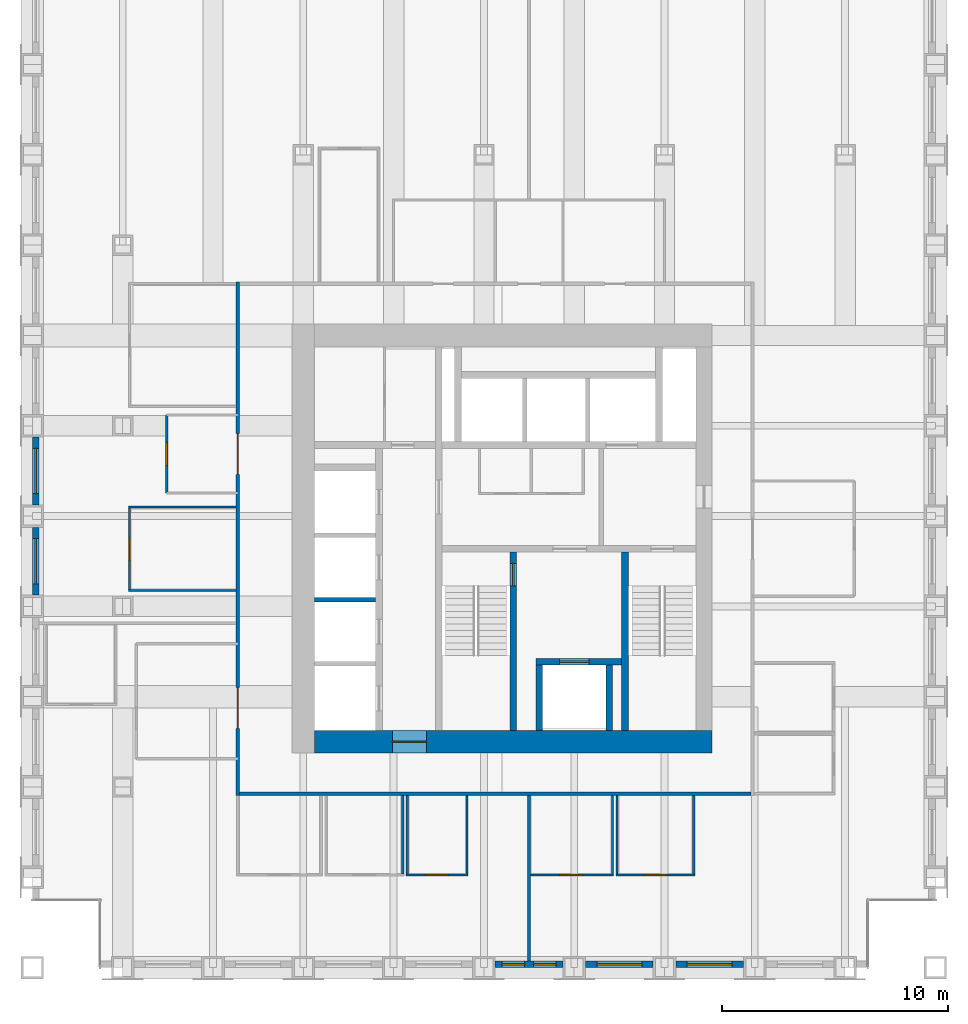
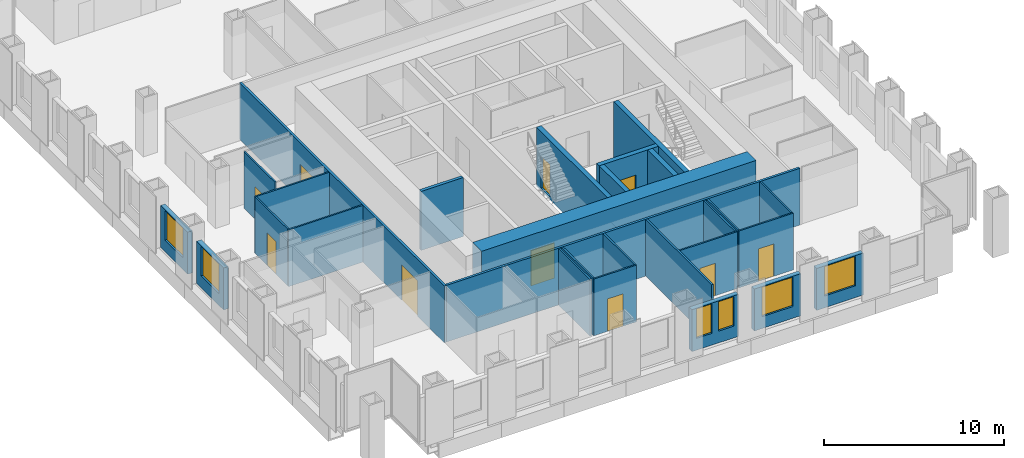
# One storey, part 9 of 14: 28 walls, 10 doors, 6 windows, 16 openings.
"""IFC4 building model written with IfcOpenShell, lengths in metres."""

from ifc_helpers import new_model, si_unit, direction, frame, frame_2d, origin, place, context, subcontext, project, spatial, rectangle, extrude, material, layer, layer_set, type_object, element, fill, save


model = new_model("IFC4")

# Units and contexts
model_context = context("Model", 3, precision=1e-05, world=origin(), true_north=direction((0.0, 1.0)))
body_context = subcontext(model_context, "Body", "Model", "MODEL_VIEW")
ifc_project = project(units=[si_unit("LENGTHUNIT", "METRE"), si_unit("AREAUNIT", "SQUARE_METRE"), si_unit("VOLUMEUNIT", "CUBIC_METRE"), si_unit("PLANEANGLEUNIT", "RADIAN"), si_unit("MASSUNIT", "GRAM", prefix="KILO")], contexts=[model_context])

# Site, building, storey
site_placement = place(None, origin())
site = spatial("IfcSite", under=ifc_project, at=site_placement, CompositionType="ELEMENT")
building_placement = place(site_placement, origin())
building = spatial("IfcBuilding", under=site, at=building_placement, Name="Rimbunsela Tower", CompositionType="ELEMENT")
storey_placement = place(building_placement, frame((0.0, 0.0, 179.800048828125)))
storey = spatial("IfcBuildingStorey", under=building, at=storey_placement, Name="L43", CompositionType="ELEMENT", Elevation=179.800048828125)

# Wall, opening, door
ifc_material_1 = material(Name="Concrete fc' 80 MPa", Category="concrete")
ifc_layer_1 = layer(ifc_material_1, 0.300048828125)
ifc_layer_set_1 = layer_set([ifc_layer_1], Name="Core internal wall 300")
wall_type_1 = type_object("IfcWallType", Name="Core internal wall 300", PredefinedType="SHEAR", material=ifc_layer_set_1)
wall_1_placement = place(storey_placement, frame((27.300048828125, 18.5, -0.150146484375), z_axis=(0.0, 0.0, 1.0), x_axis=(0.0, 1.0, 0.0)))
wall_1 = element("IfcWall", 1, at=wall_1_placement, inside=storey, type_object=wall_type_1, Name="Stair A enclosure", PredefinedType="SHEAR", context=body_context, shape_type="SweptSolid", body=[
    extrude(rectangle(XDim=7.89990234375, YDim=0.300048828125, at=frame_2d((3.949951171875, 0.0))), origin(), (0.0, 0.0, 1.0), 4.0),
])
opening_1_placement = place(wall_1_placement, frame((6.39990234375, 0.0, 0.14990234375)))
opening_1 = element("IfcOpeningElement", 2, at=opening_1_placement, cuts=wall_1, Name="Opening D01", PredefinedType="OPENING", context=body_context, shape_type="SweptSolid", body=[
    extrude(rectangle(XDim=1.0, YDim=2.199951171875, at=frame_2d((0.5, 1.10009765625))), frame((0.0, 0.159912109375, 0.0), z_axis=(0.0, -1.0, 0.0), x_axis=(1.0, 0.0, 0.0)), (0.0, 0.0, 1.0), 0.320068359375),
])
ifc_material_2 = material(Name="Steel door, fire rated", Category="steel")
door_type_1 = type_object("IfcDoorType", Name="Stair door 1000", OperationType="SINGLE_SWING_RIGHT", PredefinedType="DOOR", material=ifc_material_2)
door_1_placement = place(opening_1_placement, origin())
door_1 = element("IfcDoor", 3, at=door_1_placement, inside=storey, type_object=door_type_1, Name="Stair A door", OperationType="SINGLE_SWING_RIGHT", OverallHeight=2.199951171875, OverallWidth=1.0, PredefinedType="DOOR", context=body_context, shape_type="SweptSolid", body=[
    extrude(rectangle(XDim=1.0, YDim=2.199951171875, at=frame_2d((0.5, 1.10009765625))), frame((0.0, 0.02490234375, 0.0), z_axis=(0.0, -1.0, 0.0), x_axis=(1.0, 0.0, 0.0)), (0.0, 0.0, 1.0), 0.050048828125),
])
fill(opening_1, door_1)

# Walls
wall_2_placement = place(storey_placement, frame((32.25, 18.5, -0.150146484375), z_axis=(0.0, 0.0, 1.0), x_axis=(0.0, 1.0, 0.0)))
element("IfcWall", 4, at=wall_2_placement, inside=storey, type_object=wall_type_1, Name="Stair B enclosure", PredefinedType="SHEAR", context=body_context, shape_type="SweptSolid", body=[
    extrude(rectangle(XDim=7.89990234375, YDim=0.300048828125, at=frame_2d((3.949951171875, 0.0))), origin(), (0.0, 0.0, 1.0), 4.0),
])
for number, where, z_axis, x_axis, name in (
    (5, (28.449951171875, 18.5, -0.150146484375), (0.0, 0.0, 1.0), (0.0, 1.0, 0.0), "Firefighting lift shaft west"),
    (6, (31.550048828125, 18.5, -0.150146484375), (0.0, 0.0, 1.0), (0.0, 1.0, 0.0), "Firefighting lift shaft east"),
):
    element("IfcWall", number, at=place(storey_placement, frame(where, z_axis=z_axis, x_axis=x_axis)), inside=storey, type_object=wall_type_1, Name=name, PredefinedType="SHEAR", context=body_context, shape_type="SweptSolid", body=[
        extrude(rectangle(XDim=2.89990234375, YDim=0.300048828125, at=frame_2d((1.449951171875, 0.0))), origin(), (0.0, 0.0, 1.0), 4.0),
    ])

# Wall, opening, door
wall_3_placement = place(storey_placement, frame((28.300048828125, 21.550048828125, -0.150146484375), z_axis=(0.0, 0.0, 1.0), x_axis=(1.0, 0.0, 0.0)))
wall_3 = element("IfcWall", 7, at=wall_3_placement, inside=storey, type_object=wall_type_1, Name="Firefighting lift shaft front", PredefinedType="SHEAR", context=body_context, shape_type="SweptSolid", body=[
    extrude(rectangle(XDim=3.800048828125, YDim=0.300048828125, at=frame_2d((1.89990234375, 0.0))), origin(), (0.0, 0.0, 1.0), 4.0),
])
opening_2_placement = place(wall_3_placement, frame((1.050048828125, 0.0, 0.14990234375)))
opening_2 = element("IfcOpeningElement", 8, at=opening_2_placement, cuts=wall_3, Name="Opening LD2", PredefinedType="OPENING", context=body_context, shape_type="SweptSolid", body=[
    extrude(rectangle(XDim=1.300048828125, YDim=2.39990234375, at=frame_2d((0.64990234375, 1.199951171875))), frame((0.0, 0.159912109375, 0.0), z_axis=(0.0, -1.0, 0.0), x_axis=(1.0, 0.0, 0.0)), (0.0, 0.0, 1.0), 0.320068359375),
])
ifc_material_3 = material(Name="Steel door, fire rated", Category="steel")
door_type_2 = type_object("IfcDoorType", Name="Lift landing door 1300", OperationType="DOUBLE_DOOR_SLIDING", PredefinedType="DOOR", material=ifc_material_3)
door_2_placement = place(opening_2_placement, origin())
door_2 = element("IfcDoor", 9, at=door_2_placement, inside=storey, type_object=door_type_2, Name="Lift landing door FL1", OperationType="DOUBLE_DOOR_SLIDING", OverallHeight=2.39990234375, OverallWidth=1.300048828125, PredefinedType="DOOR", context=body_context, shape_type="SweptSolid", body=[
    extrude(rectangle(XDim=1.300048828125, YDim=2.39990234375, at=frame_2d((0.64990234375, 1.199951171875))), frame((0.0, 0.02490234375, 0.0), z_axis=(0.0, -1.0, 0.0), x_axis=(1.0, 0.0, 0.0)), (0.0, 0.0, 1.0), 0.050048828125),
])
fill(opening_2, door_2)

ifc_material_4 = material(Name="Concrete fc' 80 MPa", Category="concrete")
ifc_layer_2 = layer(ifc_material_4, 1.0)
ifc_layer_set_2 = layer_set([ifc_layer_2], Name="Core wall 1000")
wall_type_2 = type_object("IfcWallType", Name="Core wall 1000", PredefinedType="SHEAR", material=ifc_layer_set_2)
wall_4_placement = place(storey_placement, frame((18.5, 18.0, -0.150146484375), z_axis=(0.0, 0.0, 1.0), x_axis=(1.0, 0.0, 0.0)))
wall_4 = element("IfcWall", 10, at=wall_4_placement, inside=storey, type_object=wall_type_2, Name="Core wall south", PredefinedType="SHEAR", context=body_context, shape_type="SweptSolid", body=[
    extrude(rectangle(XDim=17.60009765625, YDim=1.0, at=frame_2d((8.800048828125, 0.0))), origin(), (0.0, 0.0, 1.0), 4.0),
])
opening_3_placement = place(wall_4_placement, frame((3.449951171875, 0.0, 0.14990234375)))
opening_3 = element("IfcOpeningElement", 11, at=opening_3_placement, cuts=wall_4, Name="Opening D03", PredefinedType="OPENING", context=body_context, shape_type="SweptSolid", body=[
    extrude(rectangle(XDim=1.5, YDim=2.39990234375, at=frame_2d((0.75, 1.199951171875))), frame((0.0, 0.510009765625, 0.0), z_axis=(0.0, -1.0, 0.0), x_axis=(1.0, 0.0, 0.0)), (0.0, 0.0, 1.0), 1.02001953125),
])
ifc_material_5 = material(Name="Steel door, fire rated", Category="steel")
door_type_3 = type_object("IfcDoorType", Name="Core lobby door 1500", OperationType="DOUBLE_DOOR_DOUBLE_SWING", PredefinedType="DOOR", material=ifc_material_5)
door_3_placement = place(opening_3_placement, origin())
door_3 = element("IfcDoor", 12, at=door_3_placement, inside=storey, type_object=door_type_3, Name="Core door south", OperationType="DOUBLE_DOOR_DOUBLE_SWING", OverallHeight=2.39990234375, OverallWidth=1.5, PredefinedType="DOOR", context=body_context, shape_type="SweptSolid", body=[
    extrude(rectangle(XDim=1.5, YDim=2.39990234375, at=frame_2d((0.75, 1.199951171875))), frame((0.0, 0.02490234375, 0.0), z_axis=(0.0, -1.0, 0.0), x_axis=(1.0, 0.0, 0.0)), (0.0, 0.0, 1.0), 0.050048828125),
])
fill(opening_3, door_3)

# Wall
ifc_material_6 = material(Name="Concrete blockwork", Category="masonry")
ifc_layer_3 = layer(ifc_material_6, 0.199951171875)
ifc_layer_set_3 = layer_set([ifc_layer_3], Name="Lift shaft wall 200")
wall_type_3 = type_object("IfcWallType", Name="Lift shaft wall 200", PredefinedType="SOLIDWALL", material=ifc_layer_set_3)
wall_5_placement = place(storey_placement, frame((18.5, 24.300048828125, -0.150146484375), z_axis=(0.0, 0.0, 1.0), x_axis=(1.0, 0.0, 0.0)))
element("IfcWall", 13, at=wall_5_placement, inside=storey, type_object=wall_type_3, Name="Lift shaft separation", PredefinedType="SOLIDWALL", context=body_context, shape_type="SweptSolid", body=[
    extrude(rectangle(XDim=2.699951171875, YDim=0.199951171875, at=frame_2d((1.35009765625, 0.0))), origin(), (0.0, 0.0, 1.0), 4.0),
])

# Wall, opening, door
ifc_material_7 = material(Name="Gypsum board on steel studs", Category="steel")
ifc_layer_4 = layer(ifc_material_7, 0.10009765625)
ifc_layer_set_4 = layer_set([ifc_layer_4], Name="Office partition 100")
wall_type_4 = type_object("IfcWallType", Name="Office partition 100", PredefinedType="PARTITIONING", material=ifc_layer_set_4)
wall_6_placement = place(storey_placement, frame((22.550048828125, 12.10009765625, 0.0), z_axis=(0.0, 0.0, 1.0), x_axis=(1.0, 0.0, 0.0)))
wall_6 = element("IfcWall", 14, at=wall_6_placement, inside=storey, type_object=wall_type_4, Name="Office partition", PredefinedType="PARTITIONING", context=body_context, shape_type="SweptSolid", body=[
    extrude(rectangle(XDim=2.75, YDim=0.10009765625, at=frame_2d((1.375, 0.0))), origin(), (0.0, 0.0, 1.0), 3.849853515625),
])
opening_4_placement = place(wall_6_placement, frame((0.875, 0.0, 0.0)))
opening_4 = element("IfcOpeningElement", 15, at=opening_4_placement, cuts=wall_6, Name="Opening D16", PredefinedType="OPENING", context=body_context, shape_type="SweptSolid", body=[
    extrude(rectangle(XDim=1.0, YDim=2.199951171875, at=frame_2d((0.5, 1.10009765625))), frame((0.0, 0.06005859375, 0.0), z_axis=(0.0, -1.0, 0.0), x_axis=(1.0, 0.0, 0.0)), (0.0, 0.0, 1.0), 0.1201171875),
])
ifc_material_8 = material(Name="Timber door", Category="wood")
door_type_4 = type_object("IfcDoorType", Name="Office door 1000", OperationType="SINGLE_SWING_LEFT", PredefinedType="DOOR", material=ifc_material_8)
door_4_placement = place(opening_4_placement, origin())
door_4 = element("IfcDoor", 16, at=door_4_placement, inside=storey, type_object=door_type_4, Name="Office door", OperationType="SINGLE_SWING_LEFT", OverallHeight=2.199951171875, OverallWidth=1.0, PredefinedType="DOOR", context=body_context, shape_type="SweptSolid", body=[
    extrude(rectangle(XDim=1.0, YDim=2.199951171875, at=frame_2d((0.5, 1.10009765625))), frame((0.0, 0.02490234375, 0.0), z_axis=(0.0, -1.0, 0.0), x_axis=(1.0, 0.0, 0.0)), (0.0, 0.0, 1.0), 0.050048828125),
])
fill(opening_4, door_4)

wall_7_placement = place(storey_placement, frame((28.06005859375, 12.10009765625, 0.0), z_axis=(0.0, 0.0, 1.0), x_axis=(1.0, 0.0, 0.0)))
wall_7 = element("IfcWall", 17, at=wall_7_placement, inside=storey, type_object=wall_type_4, Name="Office partition", PredefinedType="PARTITIONING", context=body_context, shape_type="SweptSolid", body=[
    extrude(rectangle(XDim=3.68994140625, YDim=0.10009765625, at=frame_2d((1.844970703125, 0.0))), origin(), (0.0, 0.0, 1.0), 3.849853515625),
])
opening_5_placement = place(wall_7_placement, frame((1.2900390625, 0.0, 0.0)))
opening_5 = element("IfcOpeningElement", 18, at=opening_5_placement, cuts=wall_7, Name="Opening D17", PredefinedType="OPENING", context=body_context, shape_type="SweptSolid", body=[
    extrude(rectangle(XDim=1.0, YDim=2.199951171875, at=frame_2d((0.5, 1.10009765625))), frame((0.0, 0.06005859375, 0.0), z_axis=(0.0, -1.0, 0.0), x_axis=(1.0, 0.0, 0.0)), (0.0, 0.0, 1.0), 0.1201171875),
])
ifc_material_9 = material(Name="Glazed aluminium door", Category="aluminium")
door_type_5 = type_object("IfcDoorType", Name="Meeting room door 1000 glazed", OperationType="SINGLE_SWING_RIGHT", PredefinedType="DOOR", material=ifc_material_9)
door_5_placement = place(opening_5_placement, origin())
door_5 = element("IfcDoor", 19, at=door_5_placement, inside=storey, type_object=door_type_5, Name="Meeting room door", OperationType="SINGLE_SWING_RIGHT", OverallHeight=2.199951171875, OverallWidth=1.0, PredefinedType="DOOR", context=body_context, shape_type="SweptSolid", body=[
    extrude(rectangle(XDim=1.0, YDim=2.199951171875, at=frame_2d((0.5, 1.10009765625))), frame((0.0, 0.02490234375, 0.0), z_axis=(0.0, -1.0, 0.0), x_axis=(1.0, 0.0, 0.0)), (0.0, 0.0, 1.0), 0.050048828125),
])
fill(opening_5, door_5)

wall_8_placement = place(storey_placement, frame((31.85009765625, 12.10009765625, 0.0), z_axis=(0.0, 0.0, 1.0), x_axis=(1.0, 0.0, 0.0)))
wall_8 = element("IfcWall", 20, at=wall_8_placement, inside=storey, type_object=wall_type_4, Name="Office partition", PredefinedType="PARTITIONING", context=body_context, shape_type="SweptSolid", body=[
    extrude(rectangle(XDim=3.5, YDim=0.10009765625, at=frame_2d((1.75, 0.0))), origin(), (0.0, 0.0, 1.0), 3.849853515625),
])
opening_6_placement = place(wall_8_placement, frame((1.25, 0.0, 0.0)))
opening_6 = element("IfcOpeningElement", 21, at=opening_6_placement, cuts=wall_8, Name="Opening D16", PredefinedType="OPENING", context=body_context, shape_type="SweptSolid", body=[
    extrude(rectangle(XDim=1.0, YDim=2.199951171875, at=frame_2d((0.5, 1.10009765625))), frame((0.0, 0.06005859375, 0.0), z_axis=(0.0, -1.0, 0.0), x_axis=(1.0, 0.0, 0.0)), (0.0, 0.0, 1.0), 0.1201171875),
])
door_6_placement = place(opening_6_placement, origin())
door_6 = element("IfcDoor", 22, at=door_6_placement, inside=storey, type_object=door_type_4, Name="Office door", OperationType="SINGLE_SWING_LEFT", OverallHeight=2.199951171875, OverallWidth=1.0, PredefinedType="DOOR", context=body_context, shape_type="SweptSolid", body=[
    extrude(rectangle(XDim=1.0, YDim=2.199951171875, at=frame_2d((0.5, 1.10009765625))), frame((0.0, 0.02490234375, 0.0), z_axis=(0.0, -1.0, 0.0), x_axis=(1.0, 0.0, 0.0)), (0.0, 0.0, 1.0), 0.050048828125),
])
fill(opening_6, door_6)

# Walls
for number, where, z_axis, x_axis, name in (
    (23, (10.25, 24.699951171875, 0.0), (0.0, 0.0, 1.0), (1.0, 0.0, 0.0), "Office partition"),
    (24, (10.25, 28.39990234375, 0.0), (0.0, 0.0, 1.0), (1.0, 0.0, 0.0), "Office partition"),
):
    element("IfcWall", number, at=place(storey_placement, frame(where, z_axis=z_axis, x_axis=x_axis)), inside=storey, type_object=wall_type_4, Name=name, PredefinedType="PARTITIONING", context=body_context, shape_type="SweptSolid", body=[
        extrude(rectangle(XDim=4.77490234375, YDim=0.10009765625, at=frame_2d((2.387451171875, 0.0))), origin(), (0.0, 0.0, 1.0), 3.849853515625),
    ])

# Wall, opening, door
wall_9_placement = place(storey_placement, frame((10.300048828125, 24.75, 0.0), z_axis=(0.0, 0.0, 1.0), x_axis=(0.0, 1.0, 0.0)))
wall_9 = element("IfcWall", 25, at=wall_9_placement, inside=storey, type_object=wall_type_4, Name="Office partition", PredefinedType="PARTITIONING", context=body_context, shape_type="SweptSolid", body=[
    extrude(rectangle(XDim=3.60009765625, YDim=0.10009765625, at=frame_2d((1.800048828125, 0.0))), origin(), (0.0, 0.0, 1.0), 3.849853515625),
])
opening_7_placement = place(wall_9_placement, frame((1.300048828125, 0.0, 0.0)))
opening_7 = element("IfcOpeningElement", 26, at=opening_7_placement, cuts=wall_9, Name="Opening D17", PredefinedType="OPENING", context=body_context, shape_type="SweptSolid", body=[
    extrude(rectangle(XDim=1.0, YDim=2.199951171875, at=frame_2d((0.5, 1.10009765625))), frame((0.0, 0.06005859375, 0.0), z_axis=(0.0, -1.0, 0.0), x_axis=(1.0, 0.0, 0.0)), (0.0, 0.0, 1.0), 0.1201171875),
])
door_7_placement = place(opening_7_placement, origin())
door_7 = element("IfcDoor", 27, at=door_7_placement, inside=storey, type_object=door_type_5, Name="Meeting room door", OperationType="SINGLE_SWING_RIGHT", OverallHeight=2.199951171875, OverallWidth=1.0, PredefinedType="DOOR", context=body_context, shape_type="SweptSolid", body=[
    extrude(rectangle(XDim=1.0, YDim=2.199951171875, at=frame_2d((0.5, 1.10009765625))), frame((0.0, 0.02490234375, 0.0), z_axis=(0.0, -1.0, 0.0), x_axis=(1.0, 0.0, 0.0)), (0.0, 0.0, 1.0), 0.050048828125),
])
fill(opening_7, door_7)

# Walls
for number, where, z_axis, x_axis, name in (
    (28, (22.39990234375, 12.14990234375, 0.0), (0.0, 0.0, 1.0), (0.0, 1.0, 0.0), "Office partition"),
    (29, (22.60009765625, 12.14990234375, 0.0), (0.0, 0.0, 1.0), (0.0, 1.0, 0.0), "Office partition"),
    (30, (25.25, 12.14990234375, 0.0), (0.0, 0.0, 1.0), (0.0, 1.0, 0.0), "Office partition"),
    (31, (31.699951171875, 12.14990234375, 0.0), (0.0, 0.0, 1.0), (0.0, 1.0, 0.0), "Office partition"),
    (32, (31.89990234375, 12.14990234375, 0.0), (0.0, 0.0, 1.0), (0.0, 1.0, 0.0), "Office partition"),
    (33, (35.300048828125, 12.14990234375, 0.0), (0.0, 0.0, 1.0), (0.0, 1.0, 0.0), "Office partition"),
):
    element("IfcWall", number, at=place(storey_placement, frame(where, z_axis=z_axis, x_axis=x_axis)), inside=storey, type_object=wall_type_4, Name=name, PredefinedType="PARTITIONING", context=body_context, shape_type="SweptSolid", body=[
        extrude(rectangle(XDim=3.47509765625, YDim=0.10009765625, at=frame_2d((1.737548828125, 0.0))), origin(), (0.0, 0.0, 1.0), 3.849853515625),
    ])

# Wall, opening, door
wall_10_placement = place(storey_placement, frame((11.949951171875, 32.47509765625, 0.0), z_axis=(0.0, 0.0, 1.0), x_axis=(0.0, -1.0, 0.0)))
wall_10 = element("IfcWall", 34, at=wall_10_placement, inside=storey, type_object=wall_type_4, Name="Office partition", PredefinedType="PARTITIONING", context=body_context, shape_type="SweptSolid", body=[
    extrude(rectangle(XDim=3.4501953125, YDim=0.10009765625, at=frame_2d((1.72509765625, 0.0))), origin(), (0.0, 0.0, 1.0), 3.849853515625),
])
opening_8_placement = place(wall_10_placement, frame((1.22509765625, 0.0, 0.0)))
opening_8 = element("IfcOpeningElement", 35, at=opening_8_placement, cuts=wall_10, Name="Opening D17", PredefinedType="OPENING", context=body_context, shape_type="SweptSolid", body=[
    extrude(rectangle(XDim=1.0, YDim=2.199951171875, at=frame_2d((0.5, 1.10009765625))), frame((0.0, 0.06005859375, 0.0), z_axis=(0.0, -1.0, 0.0), x_axis=(1.0, 0.0, 0.0)), (0.0, 0.0, 1.0), 0.1201171875),
])
door_8_placement = place(opening_8_placement, origin())
door_8 = element("IfcDoor", 36, at=door_8_placement, inside=storey, type_object=door_type_5, Name="Reception door", OperationType="SINGLE_SWING_RIGHT", OverallHeight=2.199951171875, OverallWidth=1.0, PredefinedType="DOOR", context=body_context, shape_type="SweptSolid", body=[
    extrude(rectangle(XDim=1.0, YDim=2.199951171875, at=frame_2d((0.5, 1.10009765625))), frame((0.0, 0.02490234375, 0.0), z_axis=(0.0, -1.0, 0.0), x_axis=(1.0, 0.0, 0.0)), (0.0, 0.0, 1.0), 0.050048828125),
])
fill(opening_8, door_8)

# Wall, openings, windows
ifc_material_10 = material(Name="Precast concrete fc' 35 MPa", Category="concrete")
ifc_layer_5 = layer(ifc_material_10, 0.300048828125)
ifc_layer_set_5 = layer_set([ifc_layer_5], Name="Precast concrete fc' 35 MPa")
wall_type_5 = type_object("IfcWallType", Name="Precast facade panel 300", PredefinedType="ELEMENTEDWALL", material=ifc_layer_set_5)
wall_11_placement = place(storey_placement, frame((26.5, 8.14990234375, 0.0), z_axis=(0.0, 0.0, 1.0), x_axis=(1.0, 0.0, 0.0)))
wall_11 = element("IfcWall", 37, at=wall_11_placement, inside=storey, type_object=wall_type_5, Name="Facade panel S L43", PredefinedType="ELEMENTEDWALL", context=body_context, shape_type="SweptSolid", body=[
    extrude(rectangle(XDim=3.0, YDim=0.300048828125, at=frame_2d((1.5, 0.0))), origin(), (0.0, 0.0, 1.0), 2.849853515625),
])
opening_9_placement = place(wall_11_placement, frame((0.300048828125, 0.0, 0.800048828125)))
opening_9 = element("IfcOpeningElement", 38, at=opening_9_placement, cuts=wall_11, Name="Opening W5", PredefinedType="OPENING", context=body_context, shape_type="SweptSolid", body=[
    extrude(rectangle(XDim=1.0, YDim=2.0, at=frame_2d((0.5, 1.0))), frame((0.0, 0.159912109375, 0.0), z_axis=(0.0, -1.0, 0.0), x_axis=(1.0, 0.0, 0.0)), (0.0, 0.0, 1.0), 0.320068359375),
])
opening_10_placement = place(wall_11_placement, frame((1.699951171875, 0.0, 0.800048828125)))
opening_10 = element("IfcOpeningElement", 39, at=opening_10_placement, cuts=wall_11, Name="Opening W5", PredefinedType="OPENING", context=body_context, shape_type="SweptSolid", body=[
    extrude(rectangle(XDim=1.0, YDim=2.0, at=frame_2d((0.5, 1.0))), frame((0.0, 0.159912109375, 0.0), z_axis=(0.0, -1.0, 0.0), x_axis=(1.0, 0.0, 0.0)), (0.0, 0.0, 1.0), 0.320068359375),
])
ifc_material_11 = material(Name="Clear glass in aluminium frame", Category="aluminium")
window_type_1 = type_object("IfcWindowType", Name="Window W5 1000x2000", PartitioningType="SINGLE_PANEL", PredefinedType="WINDOW", material=ifc_material_11)
window_1_placement = place(opening_9_placement, origin())
window_1 = element("IfcWindow", 40, at=window_1_placement, inside=storey, type_object=window_type_1, Name="Window L43", OverallHeight=2.0, OverallWidth=1.0, PartitioningType="SINGLE_PANEL", PredefinedType="WINDOW", context=body_context, shape_type="SweptSolid", body=[
    extrude(rectangle(XDim=1.0, YDim=2.0, at=frame_2d((0.5, 1.0))), frame((0.0, 0.030029296875, 0.0), z_axis=(0.0, -1.0, 0.0), x_axis=(1.0, 0.0, 0.0)), (0.0, 0.0, 1.0), 0.06005859375),
])
fill(opening_9, window_1)
window_2_placement = place(opening_10_placement, origin())
window_2 = element("IfcWindow", 41, at=window_2_placement, inside=storey, type_object=window_type_1, Name="Window L43", OverallHeight=2.0, OverallWidth=1.0, PartitioningType="SINGLE_PANEL", PredefinedType="WINDOW", context=body_context, shape_type="SweptSolid", body=[
    extrude(rectangle(XDim=1.0, YDim=2.0, at=frame_2d((0.5, 1.0))), frame((0.0, 0.030029296875, 0.0), z_axis=(0.0, -1.0, 0.0), x_axis=(1.0, 0.0, 0.0)), (0.0, 0.0, 1.0), 0.06005859375),
])
fill(opening_10, window_2)

# Wall, opening, window
wall_12_placement = place(storey_placement, frame((30.5, 8.14990234375, 0.0), z_axis=(0.0, 0.0, 1.0), x_axis=(1.0, 0.0, 0.0)))
wall_12 = element("IfcWall", 42, at=wall_12_placement, inside=storey, type_object=wall_type_5, Name="Facade panel S L43", PredefinedType="ELEMENTEDWALL", context=body_context, shape_type="SweptSolid", body=[
    extrude(rectangle(XDim=3.0, YDim=0.300048828125, at=frame_2d((1.5, 0.0))), origin(), (0.0, 0.0, 1.0), 2.849853515625),
])
opening_11_placement = place(wall_12_placement, frame((0.5, 0.0, 0.800048828125)))
opening_11 = element("IfcOpeningElement", 43, at=opening_11_placement, cuts=wall_12, Name="Opening W1", PredefinedType="OPENING", context=body_context, shape_type="SweptSolid", body=[
    extrude(rectangle(XDim=2.0, YDim=2.0, at=frame_2d((1.0, 1.0))), frame((0.0, 0.159912109375, 0.0), z_axis=(0.0, -1.0, 0.0), x_axis=(1.0, 0.0, 0.0)), (0.0, 0.0, 1.0), 0.320068359375),
])
ifc_material_12 = material(Name="Clear glass in aluminium frame", Category="aluminium")
window_type_2 = type_object("IfcWindowType", Name="Window W1 2000x2000", PartitioningType="DOUBLE_PANEL_VERTICAL", PredefinedType="WINDOW", material=ifc_material_12)
window_3_placement = place(opening_11_placement, origin())
window_3 = element("IfcWindow", 44, at=window_3_placement, inside=storey, type_object=window_type_2, Name="Window L43", OverallHeight=2.0, OverallWidth=2.0, PartitioningType="SINGLE_PANEL", PredefinedType="WINDOW", context=body_context, shape_type="SweptSolid", body=[
    extrude(rectangle(XDim=2.0, YDim=2.0, at=frame_2d((1.0, 1.0))), frame((0.0, 0.030029296875, 0.0), z_axis=(0.0, -1.0, 0.0), x_axis=(1.0, 0.0, 0.0)), (0.0, 0.0, 1.0), 0.06005859375),
])
fill(opening_11, window_3)

wall_13_placement = place(storey_placement, frame((34.5, 8.14990234375, 0.0), z_axis=(0.0, 0.0, 1.0), x_axis=(1.0, 0.0, 0.0)))
wall_13 = element("IfcWall", 45, at=wall_13_placement, inside=storey, type_object=wall_type_5, Name="Facade panel S L43", PredefinedType="ELEMENTEDWALL", context=body_context, shape_type="SweptSolid", body=[
    extrude(rectangle(XDim=3.0, YDim=0.300048828125, at=frame_2d((1.5, 0.0))), origin(), (0.0, 0.0, 1.0), 2.849853515625),
])
opening_12_placement = place(wall_13_placement, frame((0.5, 0.0, 0.800048828125)))
opening_12 = element("IfcOpeningElement", 46, at=opening_12_placement, cuts=wall_13, Name="Opening W1", PredefinedType="OPENING", context=body_context, shape_type="SweptSolid", body=[
    extrude(rectangle(XDim=2.0, YDim=2.0, at=frame_2d((1.0, 1.0))), frame((0.0, 0.159912109375, 0.0), z_axis=(0.0, -1.0, 0.0), x_axis=(1.0, 0.0, 0.0)), (0.0, 0.0, 1.0), 0.320068359375),
])
window_4_placement = place(opening_12_placement, origin())
window_4 = element("IfcWindow", 47, at=window_4_placement, inside=storey, type_object=window_type_2, Name="Window L43", OverallHeight=2.0, OverallWidth=2.0, PartitioningType="SINGLE_PANEL", PredefinedType="WINDOW", context=body_context, shape_type="SweptSolid", body=[
    extrude(rectangle(XDim=2.0, YDim=2.0, at=frame_2d((1.0, 1.0))), frame((0.0, 0.030029296875, 0.0), z_axis=(0.0, -1.0, 0.0), x_axis=(1.0, 0.0, 0.0)), (0.0, 0.0, 1.0), 0.06005859375),
])
fill(opening_12, window_4)

wall_14_placement = place(storey_placement, frame((6.14990234375, 27.5, 0.0), z_axis=(0.0, 0.0, 1.0), x_axis=(0.0, -1.0, 0.0)))
wall_14 = element("IfcWall", 48, at=wall_14_placement, inside=storey, type_object=wall_type_5, Name="Facade panel W L43", PredefinedType="ELEMENTEDWALL", context=body_context, shape_type="SweptSolid", body=[
    extrude(rectangle(XDim=3.0, YDim=0.300048828125, at=frame_2d((1.5, 0.0))), origin(), (0.0, 0.0, 1.0), 2.849853515625),
])
opening_13_placement = place(wall_14_placement, frame((0.5, 0.0, 0.800048828125)))
opening_13 = element("IfcOpeningElement", 49, at=opening_13_placement, cuts=wall_14, Name="Opening W1", PredefinedType="OPENING", context=body_context, shape_type="SweptSolid", body=[
    extrude(rectangle(XDim=2.0, YDim=2.0, at=frame_2d((1.0, 1.0))), frame((0.0, 0.159912109375, 0.0), z_axis=(0.0, -1.0, 0.0), x_axis=(1.0, 0.0, 0.0)), (0.0, 0.0, 1.0), 0.320068359375),
])
window_5_placement = place(opening_13_placement, origin())
window_5 = element("IfcWindow", 50, at=window_5_placement, inside=storey, type_object=window_type_2, Name="Window L43", OverallHeight=2.0, OverallWidth=2.0, PartitioningType="SINGLE_PANEL", PredefinedType="WINDOW", context=body_context, shape_type="SweptSolid", body=[
    extrude(rectangle(XDim=2.0, YDim=2.0, at=frame_2d((1.0, 1.0))), frame((0.0, 0.030029296875, 0.0), z_axis=(0.0, -1.0, 0.0), x_axis=(1.0, 0.0, 0.0)), (0.0, 0.0, 1.0), 0.06005859375),
])
fill(opening_13, window_5)

wall_15_placement = place(storey_placement, frame((6.14990234375, 31.5, 0.0), z_axis=(0.0, 0.0, 1.0), x_axis=(0.0, -1.0, 0.0)))
wall_15 = element("IfcWall", 51, at=wall_15_placement, inside=storey, type_object=wall_type_5, Name="Facade panel W L43", PredefinedType="ELEMENTEDWALL", context=body_context, shape_type="SweptSolid", body=[
    extrude(rectangle(XDim=3.0, YDim=0.300048828125, at=frame_2d((1.5, 0.0))), origin(), (0.0, 0.0, 1.0), 2.849853515625),
])
opening_14_placement = place(wall_15_placement, frame((0.5, 0.0, 0.800048828125)))
opening_14 = element("IfcOpeningElement", 52, at=opening_14_placement, cuts=wall_15, Name="Opening W1", PredefinedType="OPENING", context=body_context, shape_type="SweptSolid", body=[
    extrude(rectangle(XDim=2.0, YDim=2.0, at=frame_2d((1.0, 1.0))), frame((0.0, 0.159912109375, 0.0), z_axis=(0.0, -1.0, 0.0), x_axis=(1.0, 0.0, 0.0)), (0.0, 0.0, 1.0), 0.320068359375),
])
window_6_placement = place(opening_14_placement, origin())
window_6 = element("IfcWindow", 53, at=window_6_placement, inside=storey, type_object=window_type_2, Name="Window L43", OverallHeight=2.0, OverallWidth=2.0, PartitioningType="SINGLE_PANEL", PredefinedType="WINDOW", context=body_context, shape_type="SweptSolid", body=[
    extrude(rectangle(XDim=2.0, YDim=2.0, at=frame_2d((1.0, 1.0))), frame((0.0, 0.030029296875, 0.0), z_axis=(0.0, -1.0, 0.0), x_axis=(1.0, 0.0, 0.0)), (0.0, 0.0, 1.0), 0.06005859375),
])
fill(opening_14, window_6)

# Wall, openings, doors
ifc_material_13 = material(Name="Fire-rated gypsum board on steel studs, EI 60", Category="steel")
ifc_layer_6 = layer(ifc_material_13, 0.14990234375)
ifc_layer_set_6 = layer_set([ifc_layer_6], Name="Rated corridor wall 150")
wall_type_6 = type_object("IfcWallType", Name="Rated corridor wall 150", PredefinedType="PARTITIONING", material=ifc_layer_set_6)
wall_16_placement = place(storey_placement, frame((15.10009765625, 15.625, 0.0), z_axis=(0.0, 0.0, 1.0), x_axis=(0.0, 1.0, 0.0)))
wall_16 = element("IfcWall", 54, at=wall_16_placement, inside=storey, type_object=wall_type_6, Name="Corridor wall west", PredefinedType="PARTITIONING", context=body_context, shape_type="SweptSolid", body=[
    extrude(rectangle(XDim=22.75, YDim=0.14990234375, at=frame_2d((11.375, 0.0))), origin(), (0.0, 0.0, 1.0), 3.849853515625),
])
opening_15_placement = place(wall_16_placement, frame((2.97412109375, 0.0, 0.0)))
opening_15 = element("IfcOpeningElement", 55, at=opening_15_placement, cuts=wall_16, Name="Opening D09", PredefinedType="OPENING", context=body_context, shape_type="SweptSolid", body=[
    extrude(rectangle(XDim=1.800048828125, YDim=2.39990234375, at=frame_2d((0.89990234375, 1.199951171875))), frame((0.0, 0.0849609375, 0.0), z_axis=(0.0, -1.0, 0.0), x_axis=(1.0, 0.0, 0.0)), (0.0, 0.0, 1.0), 0.169921875),
])
opening_16_placement = place(wall_16_placement, frame((14.22509765625, 0.0, 0.0)))
opening_16 = element("IfcOpeningElement", 56, at=opening_16_placement, cuts=wall_16, Name="Opening D09", PredefinedType="OPENING", context=body_context, shape_type="SweptSolid", body=[
    extrude(rectangle(XDim=1.800048828125, YDim=2.39990234375, at=frame_2d((0.89990234375, 1.199951171875))), frame((0.0, 0.0849609375, 0.0), z_axis=(0.0, -1.0, 0.0), x_axis=(1.0, 0.0, 0.0)), (0.0, 0.0, 1.0), 0.169921875),
])
ifc_material_14 = material(Name="Glazed aluminium door, fire rated", Category="aluminium")
door_type_6 = type_object("IfcDoorType", Name="Tenancy door 1800 glazed", OperationType="DOUBLE_DOOR_DOUBLE_SWING", PredefinedType="DOOR", material=ifc_material_14)
door_9_placement = place(opening_15_placement, origin())
door_9 = element("IfcDoor", 57, at=door_9_placement, inside=storey, type_object=door_type_6, Name="Tenancy door", OperationType="DOUBLE_DOOR_DOUBLE_SWING", OverallHeight=2.39990234375, OverallWidth=1.800048828125, PredefinedType="DOOR", context=body_context, shape_type="SweptSolid", body=[
    extrude(rectangle(XDim=1.800048828125, YDim=2.39990234375, at=frame_2d((0.89990234375, 1.199951171875))), frame((0.0, 0.02490234375, 0.0), z_axis=(0.0, -1.0, 0.0), x_axis=(1.0, 0.0, 0.0)), (0.0, 0.0, 1.0), 0.050048828125),
])
fill(opening_15, door_9)
door_10_placement = place(opening_16_placement, origin())
door_10 = element("IfcDoor", 58, at=door_10_placement, inside=storey, type_object=door_type_6, Name="Tenancy door", OperationType="DOUBLE_DOOR_DOUBLE_SWING", OverallHeight=2.39990234375, OverallWidth=1.800048828125, PredefinedType="DOOR", context=body_context, shape_type="SweptSolid", body=[
    extrude(rectangle(XDim=1.800048828125, YDim=2.39990234375, at=frame_2d((0.89990234375, 1.199951171875))), frame((0.0, 0.02490234375, 0.0), z_axis=(0.0, -1.0, 0.0), x_axis=(1.0, 0.0, 0.0)), (0.0, 0.0, 1.0), 0.050048828125),
])
fill(opening_16, door_10)

# Walls
wall_17_placement = place(storey_placement, frame((15.175048828125, 15.699951171875, 0.0), z_axis=(0.0, 0.0, 1.0), x_axis=(1.0, 0.0, 0.0)))
element("IfcWall", 59, at=wall_17_placement, inside=storey, type_object=wall_type_6, Name="Corridor wall south", PredefinedType="PARTITIONING", context=body_context, shape_type="SweptSolid", body=[
    extrude(rectangle(XDim=22.64990234375, YDim=0.14990234375, at=frame_2d((11.324951171875, 0.0))), origin(), (0.0, 0.0, 1.0), 3.849853515625),
])
ifc_material_15 = material(Name="Gypsum board on steel studs", Category="steel")
ifc_layer_7 = layer(ifc_material_15, 0.1201171875)
ifc_layer_set_7 = layer_set([ifc_layer_7], Name="Tenancy partition 120")
wall_type_7 = type_object("IfcWallType", Name="Tenancy partition 120", PredefinedType="PARTITIONING", material=ifc_layer_set_7)
wall_18_placement = place(storey_placement, frame((28.0, 8.300048828125, 0.0), z_axis=(0.0, 0.0, 1.0), x_axis=(0.0, 1.0, 0.0)))
element("IfcWall", 60, at=wall_18_placement, inside=storey, type_object=wall_type_7, Name="Tenancy partition south", PredefinedType="PARTITIONING", context=body_context, shape_type="SweptSolid", body=[
    extrude(rectangle(XDim=7.324951171875, YDim=0.1201171875, at=frame_2d((3.66259765625, 0.0))), origin(), (0.0, 0.0, 1.0), 3.849853515625),
])

save(model, "model.ifc")
